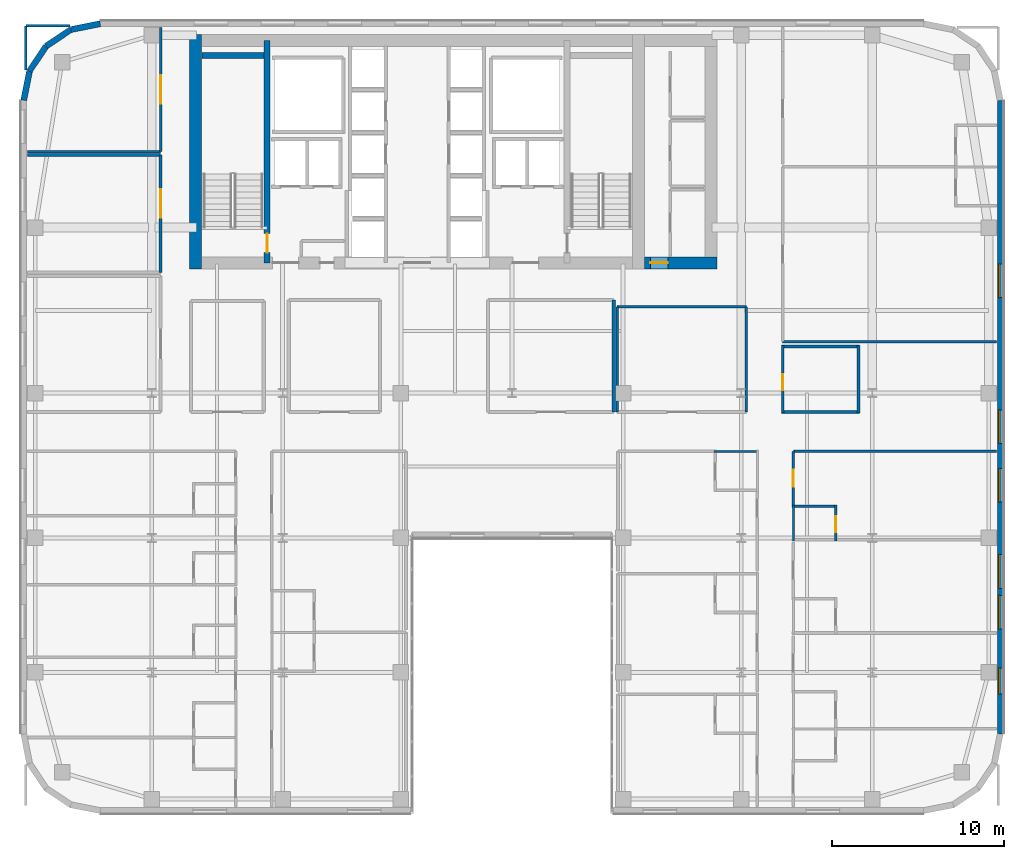
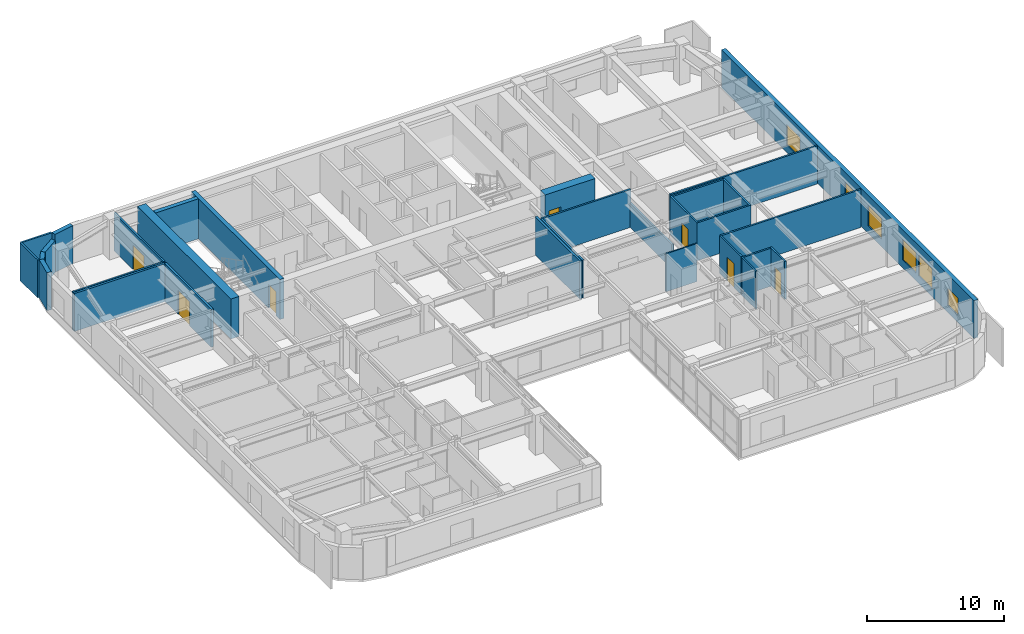
# One storey, part 17 of 25: 30 walls, 7 doors, 6 windows, 13 openings.
"""IFC4 building model written with IfcOpenShell, lengths in metres."""

from ifc_helpers import new_model, si_unit, direction, frame, frame_2d, origin, place, context, subcontext, project, spatial, rectangle, extrude, source, transform, mapped, material, layer, layer_set, type_object, type_shapes, element, fill, save


model = new_model("IFC4")

# Units and contexts
model_context = context("Model", 3, precision=1e-05, world=origin(), true_north=direction((0.0, 1.0)))
body_context = subcontext(model_context, "Body", "Model", "MODEL_VIEW")
ifc_project = project(units=[si_unit("LENGTHUNIT", "METRE"), si_unit("AREAUNIT", "SQUARE_METRE"), si_unit("VOLUMEUNIT", "CUBIC_METRE"), si_unit("PLANEANGLEUNIT", "RADIAN"), si_unit("MASSUNIT", "GRAM", prefix="KILO")], contexts=[model_context])

# Site, building, storey
site_placement = place(None, origin())
site = spatial("IfcSite", under=ifc_project, at=site_placement, CompositionType="ELEMENT")
building_placement = place(site_placement, origin())
building = spatial("IfcBuilding", under=site, at=building_placement, Name="Tolvann Quenvar Hotel", CompositionType="ELEMENT")
storey_placement = place(building_placement, frame((0.0, 0.0, 111.550048828125)))
storey = spatial("IfcBuildingStorey", under=building, at=storey_placement, Name="L28", CompositionType="ELEMENT", Elevation=111.550048828125)

# Wall
ifc_material_1 = material(Name="Concrete S65 (65 MPa)", Category="concrete")
ifc_layer_1 = layer(ifc_material_1, 0.699951171875)
ifc_layer_set_1 = layer_set([ifc_layer_1], Name="Concrete S65 (65 MPa)")
wall_type_1 = type_object("IfcWallType", Name="WALL_CORE_700", PredefinedType="SHEAR", material=ifc_layer_set_1)
wall_1_placement = place(storey_placement, frame((10.14990234375, 31.60009765625, 0.0), z_axis=(0.0, 0.0, 1.0), x_axis=(0.0, 1.0, 0.0)))
element("IfcWall", 1, at=wall_1_placement, inside=storey, type_object=wall_type_1, Name="Rear Core W Shear Wall (L28)", PredefinedType="SHEAR", context=body_context, shape_type="SweptSolid", body=[
    extrude(rectangle(XDim=13.599853515625, YDim=0.699951171875, at=frame_2d((6.7998046875, 0.0))), origin(), (0.0, 0.0, 1.0), 3.550048828125),
])

# Wall, opening, door
wall_2_placement = place(storey_placement, frame((36.199951171875, 31.949951171875, 0.0), z_axis=(0.0, 0.0, 1.0), x_axis=(1.0, 0.0, 0.0)))
wall_2 = element("IfcWall", 2, at=wall_2_placement, inside=storey, type_object=wall_type_1, Name="Core East Annex Shear Wall ANN-S (L28)", PredefinedType="SHEAR", context=body_context, shape_type="SweptSolid", body=[
    extrude(rectangle(XDim=4.199951171875, YDim=0.699951171875, at=frame_2d((2.10009765625, 0.0))), origin(), (0.0, 0.0, 1.0), 3.550048828125),
])
opening_1_placement = place(wall_2_placement, frame((1.340087890625, 0.0, 0.0), z_axis=(0.0, 0.0, 1.0), x_axis=(-1.0, 0.0, 0.0)))
opening_1 = element("IfcOpeningElement", 3, at=opening_1_placement, cuts=wall_2, Name="Opening HD-01", PredefinedType="OPENING", context=body_context, shape_type="SweptSolid", body=[
    extrude(rectangle(XDim=1.02001953125, YDim=2.030029296875, at=frame_2d((0.510009765625, 1.01513671875))), frame((0.0, 0.35986328125, 0.0), z_axis=(0.0, -1.0, 0.0), x_axis=(1.0, 0.0, 0.0)), (0.0, 0.0, 1.0), 0.719970703125),
])
ifc_material_2 = material(Name="Pressed galvanised steel fire-rated door set", Category="steel")
door_type_1 = type_object("IfcDoorType", Name="DOOR_BOH_1020", OperationType="NOTDEFINED", PredefinedType="DOOR", material=ifc_material_2)
shared_shape_1 = source(origin(), body_context, "Body", "SweptSolid", [
    extrude(rectangle(XDim=1.02001953125, YDim=2.030029296875, at=frame_2d((0.510009765625, 1.01513671875))), frame((0.0, 0.02490234375, 0.0), z_axis=(0.0, -1.0, 0.0), x_axis=(1.0, 0.0, 0.0)), (0.0, 0.0, 1.0), 0.050048828125),
])
type_shapes(door_type_1, [shared_shape_1])
door_1_placement = place(opening_1_placement, origin())
door_1 = element("IfcDoor", 4, at=door_1_placement, inside=storey, type_object=door_type_1, Name="Housekeeping Annex Fire Door (L28)", OperationType="SINGLE_SWING_RIGHT", OverallHeight=2.030029296875, OverallWidth=1.02001953125, PredefinedType="DOOR", context=body_context, shape_type="MappedRepresentation", body=[
    mapped(shared_shape_1, transform((0.0, 0.0, 0.0), x_axis=(1.0, 0.0, 0.0), y_axis=(0.0, 1.0, 0.0), z_axis=(0.0, 0.0, 1.0), scale=1.0)),
])
fill(opening_1, door_1)

ifc_layer_2 = layer(ifc_material_1, 0.35009765625)
ifc_layer_set_2 = layer_set([ifc_layer_2], Name="Concrete S65 (65 MPa)")
wall_type_2 = type_object("IfcWallType", Name="WALL_CORE_INT_350", PredefinedType="SHEAR", material=ifc_layer_set_2)
wall_3_placement = place(storey_placement, frame((14.300048828125, 31.949951171875, 0.0), z_axis=(0.0, 0.0, 1.0), x_axis=(0.0, 1.0, 0.0)))
wall_3 = element("IfcWall", 5, at=wall_3_placement, inside=storey, type_object=wall_type_2, Name="Core Internal Web Shear Wall WEB-W (L28)", PredefinedType="SHEAR", context=body_context, shape_type="SweptSolid", body=[
    extrude(rectangle(XDim=12.900146484375, YDim=0.35009765625, at=frame_2d((6.4501953125, 0.0))), origin(), (0.0, 0.0, 1.0), 3.550048828125),
])
opening_2_placement = place(wall_3_placement, frame((0.60009765625, 0.0, 0.0)))
opening_2 = element("IfcOpeningElement", 6, at=opening_2_placement, cuts=wall_3, Name="Opening FD-120", PredefinedType="OPENING", context=body_context, shape_type="SweptSolid", body=[
    extrude(rectangle(XDim=1.10009765625, YDim=2.1201171875, at=frame_2d((0.550048828125, 1.06005859375))), frame((0.0, 0.18505859375, 0.0), z_axis=(0.0, -1.0, 0.0), x_axis=(1.0, 0.0, 0.0)), (0.0, 0.0, 1.0), 0.3701171875),
])
door_type_2 = type_object("IfcDoorType", Name="DOOR_FIRE_STAIR_1100", OperationType="NOTDEFINED", PredefinedType="DOOR", material=ifc_material_2)
shared_shape_2 = source(origin(), body_context, "Body", "SweptSolid", [
    extrude(rectangle(XDim=1.10009765625, YDim=2.1201171875, at=frame_2d((0.550048828125, 1.06005859375))), frame((0.0, 0.02490234375, 0.0), z_axis=(0.0, -1.0, 0.0), x_axis=(1.0, 0.0, 0.0)), (0.0, 0.0, 1.0), 0.050048828125),
])
type_shapes(door_type_2, [shared_shape_2])
door_2_placement = place(opening_2_placement, origin())
door_2 = element("IfcDoor", 7, at=door_2_placement, inside=storey, type_object=door_type_2, Name="Exit Stair ST-C1 Fire Door (L28)", OperationType="SINGLE_SWING_LEFT", OverallHeight=2.1201171875, OverallWidth=1.10009765625, PredefinedType="DOOR", context=body_context, shape_type="MappedRepresentation", body=[
    mapped(shared_shape_2, transform((0.0, 0.0, 0.0), x_axis=(1.0, 0.0, 0.0), y_axis=(0.0, 1.0, 0.0), z_axis=(0.0, 0.0, 1.0), scale=1.0)),
])
fill(opening_2, door_2)

# Wall
wall_4_placement = place(storey_placement, frame((10.52001953125, 43.97509765625, 0.0), z_axis=(0.0, 0.0, 1.0), x_axis=(1.0, 0.0, 0.0)))
element("IfcWall", 8, at=wall_4_placement, inside=storey, type_object=wall_type_2, Name="Core Stair North Closing Shear Wall STC1-N (L28)", PredefinedType="SHEAR", context=body_context, shape_type="SweptSolid", body=[
    extrude(rectangle(XDim=3.60009765625, YDim=0.35009765625, at=frame_2d((1.800048828125, 0.0))), origin(), (0.0, 0.0, 1.0), 3.550048828125),
])

# Wall, openings, windows
ifc_material_3 = material(Name="Kiln-fired red and buff architectural clay brickwork and terracotta masonry", Category="masonry")
ifc_layer_3 = layer(ifc_material_3, 0.35009765625)
ifc_layer_set_3 = layer_set([ifc_layer_3], Name="Kiln-fired red and buff architectural clay brickwork and terracotta masonry")
wall_type_3 = type_object("IfcWallType", Name="WALL_EXT_BRICK_350", PredefinedType="SOLIDWALL", material=ifc_layer_set_3)
wall_5_placement = place(storey_placement, frame((56.824951171875, 4.6171875, 0.0), z_axis=(0.0, 0.0, 1.0), x_axis=(0.0, 1.0, 0.0)))
wall_5 = element("IfcWall", 9, at=wall_5_placement, inside=storey, type_object=wall_type_3, Name="Exterior Chicago Brick Wall L28-E13", PredefinedType="SOLIDWALL", context=body_context, shape_type="SweptSolid", body=[
    extrude(rectangle(XDim=36.765625, YDim=0.35009765625, at=frame_2d((18.3828125, 0.0))), origin(), (0.0, 0.0, 1.0), 3.369873046875),
])
opening_3_placement = place(wall_5_placement, frame((6.10302734375, 0.0, 0.679931640625)))
opening_3 = element("IfcOpeningElement", 10, at=opening_3_placement, cuts=wall_5, Name="Opening W-10", PredefinedType="OPENING", context=body_context, shape_type="SweptSolid", body=[
    extrude(rectangle(XDim=1.949951171875, YDim=1.820068359375, at=frame_2d((0.97509765625, 0.91015625))), frame((0.0, 0.18505859375, 0.0), z_axis=(0.0, -1.0, 0.0), x_axis=(1.0, 0.0, 0.0)), (0.0, 0.0, 1.0), 0.3701171875),
])
opening_4_placement = place(wall_5_placement, frame((8.4541015625, 0.0, 0.679931640625)))
opening_4 = element("IfcOpeningElement", 11, at=opening_4_placement, cuts=wall_5, Name="Opening W-10", PredefinedType="OPENING", context=body_context, shape_type="SweptSolid", body=[
    extrude(rectangle(XDim=1.949951171875, YDim=1.820068359375, at=frame_2d((0.97509765625, 0.91015625))), frame((0.0, 0.18505859375, 0.0), z_axis=(0.0, -1.0, 0.0), x_axis=(1.0, 0.0, 0.0)), (0.0, 0.0, 1.0), 0.3701171875),
])
opening_5_placement = place(wall_5_placement, frame((13.4560546875, 0.0, 0.679931640625)))
opening_5 = element("IfcOpeningElement", 12, at=opening_5_placement, cuts=wall_5, Name="Opening W-10", PredefinedType="OPENING", context=body_context, shape_type="SweptSolid", body=[
    extrude(rectangle(XDim=1.949951171875, YDim=1.820068359375, at=frame_2d((0.97509765625, 0.91015625))), frame((0.0, 0.18505859375, 0.0), z_axis=(0.0, -1.0, 0.0), x_axis=(1.0, 0.0, 0.0)), (0.0, 0.0, 1.0), 0.3701171875),
])
opening_6_placement = place(wall_5_placement, frame((16.85791015625, 0.0, 0.679931640625)))
opening_6 = element("IfcOpeningElement", 13, at=opening_6_placement, cuts=wall_5, Name="Opening W-10", PredefinedType="OPENING", context=body_context, shape_type="SweptSolid", body=[
    extrude(rectangle(XDim=1.949951171875, YDim=1.820068359375, at=frame_2d((0.97509765625, 0.91015625))), frame((0.0, 0.18505859375, 0.0), z_axis=(0.0, -1.0, 0.0), x_axis=(1.0, 0.0, 0.0)), (0.0, 0.0, 1.0), 0.3701171875),
])
opening_7_placement = place(wall_5_placement, frame((25.31103515625, 0.0, 0.679931640625)))
opening_7 = element("IfcOpeningElement", 14, at=opening_7_placement, cuts=wall_5, Name="Opening W-10", PredefinedType="OPENING", context=body_context, shape_type="SweptSolid", body=[
    extrude(rectangle(XDim=1.949951171875, YDim=1.820068359375, at=frame_2d((0.97509765625, 0.91015625))), frame((0.0, 0.18505859375, 0.0), z_axis=(0.0, -1.0, 0.0), x_axis=(1.0, 0.0, 0.0)), (0.0, 0.0, 1.0), 0.3701171875),
])
opening_8_placement = place(wall_5_placement, frame((2.3330078125, 0.0, 0.6201171875)))
opening_8 = element("IfcOpeningElement", 15, at=opening_8_placement, cuts=wall_5, Name="Opening W-08", PredefinedType="OPENING", context=body_context, shape_type="SweptSolid", body=[
    extrude(rectangle(XDim=1.5, YDim=1.550048828125, at=frame_2d((0.75, 0.77490234375))), frame((0.0, 0.18505859375, 0.0), z_axis=(0.0, -1.0, 0.0), x_axis=(1.0, 0.0, 0.0)), (0.0, 0.0, 1.0), 0.3701171875),
])
ifc_material_4 = material(Name="Thermally broken bronze-anodised aluminium frame with double low-E glazing", Category="aluminium")
window_type_1 = type_object("IfcWindowType", Name="WIN_COR_1500x2050", PartitioningType="SINGLE_PANEL", PredefinedType="WINDOW", material=ifc_material_4)
shared_shape_3 = source(origin(), body_context, "Body", "SweptSolid", [
    extrude(rectangle(XDim=1.5, YDim=1.550048828125, at=frame_2d((0.75, 0.77490234375))), frame((0.0, 0.090087890625, 0.0), z_axis=(0.0, -1.0, 0.0), x_axis=(1.0, 0.0, 0.0)), (0.0, 0.0, 1.0), 0.06005859375),
])
type_shapes(window_type_1, [shared_shape_3])
window_1_placement = place(opening_8_placement, origin())
window_1 = element("IfcWindow", 16, at=window_1_placement, inside=storey, type_object=window_type_1, Name="Chicago Window W-08 (EW-L28-E13-WD06)", OverallHeight=1.550048828125, OverallWidth=1.5, PartitioningType="SINGLE_PANEL", PredefinedType="WINDOW", context=body_context, shape_type="MappedRepresentation", body=[
    mapped(shared_shape_3, transform((0.0, 0.0, 0.0), x_axis=(1.0, 0.0, 0.0), y_axis=(0.0, 1.0, 0.0), z_axis=(0.0, 0.0, 1.0), scale=1.0)),
])
fill(opening_8, window_1)
window_type_2 = type_object("IfcWindowType", Name="WIN_CLB_1950x1850", PartitioningType="DOUBLE_PANEL_VERTICAL", PredefinedType="WINDOW", material=ifc_material_4)
shared_shape_4 = source(origin(), body_context, "Body", "SweptSolid", [
    extrude(rectangle(XDim=1.949951171875, YDim=1.820068359375, at=frame_2d((0.97509765625, 0.91015625))), frame((0.0, 0.090087890625, 0.0), z_axis=(0.0, -1.0, 0.0), x_axis=(1.0, 0.0, 0.0)), (0.0, 0.0, 1.0), 0.06005859375),
])
type_shapes(window_type_2, [shared_shape_4])
window_2_placement = place(opening_3_placement, origin())
window_2 = element("IfcWindow", 17, at=window_2_placement, inside=storey, type_object=window_type_2, Name="Chicago Window W-10 (EW-L28-E13-W01)", OverallHeight=1.820068359375, OverallWidth=1.949951171875, PartitioningType="DOUBLE_PANEL_VERTICAL", PredefinedType="WINDOW", context=body_context, shape_type="MappedRepresentation", body=[
    mapped(shared_shape_4, transform((0.0, 0.0, 0.0), x_axis=(1.0, 0.0, 0.0), y_axis=(0.0, 1.0, 0.0), z_axis=(0.0, 0.0, 1.0), scale=1.0)),
])
fill(opening_3, window_2)
window_3_placement = place(opening_4_placement, origin())
window_3 = element("IfcWindow", 18, at=window_3_placement, inside=storey, type_object=window_type_2, Name="Chicago Window W-10 (EW-L28-E13-W02)", OverallHeight=1.820068359375, OverallWidth=1.949951171875, PartitioningType="DOUBLE_PANEL_VERTICAL", PredefinedType="WINDOW", context=body_context, shape_type="MappedRepresentation", body=[
    mapped(shared_shape_4, transform((0.0, 0.0, 0.0), x_axis=(1.0, 0.0, 0.0), y_axis=(0.0, 1.0, 0.0), z_axis=(0.0, 0.0, 1.0), scale=1.0)),
])
fill(opening_4, window_3)
window_4_placement = place(opening_5_placement, origin())
window_4 = element("IfcWindow", 19, at=window_4_placement, inside=storey, type_object=window_type_2, Name="Chicago Window W-10 (EW-L28-E13-W03)", OverallHeight=1.820068359375, OverallWidth=1.949951171875, PartitioningType="DOUBLE_PANEL_VERTICAL", PredefinedType="WINDOW", context=body_context, shape_type="MappedRepresentation", body=[
    mapped(shared_shape_4, transform((0.0, 0.0, 0.0), x_axis=(1.0, 0.0, 0.0), y_axis=(0.0, 1.0, 0.0), z_axis=(0.0, 0.0, 1.0), scale=1.0)),
])
fill(opening_5, window_4)
window_5_placement = place(opening_6_placement, origin())
window_5 = element("IfcWindow", 20, at=window_5_placement, inside=storey, type_object=window_type_2, Name="Chicago Window W-10 (EW-L28-E13-W04)", OverallHeight=1.820068359375, OverallWidth=1.949951171875, PartitioningType="DOUBLE_PANEL_VERTICAL", PredefinedType="WINDOW", context=body_context, shape_type="MappedRepresentation", body=[
    mapped(shared_shape_4, transform((0.0, 0.0, 0.0), x_axis=(1.0, 0.0, 0.0), y_axis=(0.0, 1.0, 0.0), z_axis=(0.0, 0.0, 1.0), scale=1.0)),
])
fill(opening_6, window_5)
window_6_placement = place(opening_7_placement, origin())
window_6 = element("IfcWindow", 21, at=window_6_placement, inside=storey, type_object=window_type_2, Name="Chicago Window W-10 (EW-L28-E13-W05)", OverallHeight=1.820068359375, OverallWidth=1.949951171875, PartitioningType="DOUBLE_PANEL_VERTICAL", PredefinedType="WINDOW", context=body_context, shape_type="MappedRepresentation", body=[
    mapped(shared_shape_4, transform((0.0, 0.0, 0.0), x_axis=(1.0, 0.0, 0.0), y_axis=(0.0, 1.0, 0.0), z_axis=(0.0, 0.0, 1.0), scale=1.0)),
])
fill(opening_7, window_6)

# Walls
wall_6_placement = place(storey_placement, frame((4.6171875, 45.824951171875, 0.0), z_axis=(0.0, 0.0, 1.0), x_axis=(-0.980800971659, -0.195011420161, 0.0)))
element("IfcWall", 22, at=wall_6_placement, inside=storey, type_object=wall_type_3, Name="Exterior Chicago Brick Wall L28-E19", PredefinedType="SOLIDWALL", context=body_context, shape_type="SweptSolid", body=[
    extrude(rectangle(XDim=1.74267578125, YDim=0.35009765625, at=frame_2d((0.871337890625, 0.0))), origin(), (0.0, 0.0, 1.0), 3.369873046875),
])
for number, where, z_axis, x_axis, name in (
    (23, (2.907958984375, 45.485107421875, 0.0), (0.0, 0.0, 1.0), (-0.831483840845, -0.55554893791, 0.0), "Exterior Chicago Brick Wall L28-E20"),
    (24, (1.473388671875, 44.526611328125, 0.0), (0.0, 0.0, 1.0), (-0.55554893791, -0.831483840845, 0.0), "Exterior Chicago Brick Wall L28-E21"),
):
    element("IfcWall", number, at=place(storey_placement, frame(where, z_axis=z_axis, x_axis=x_axis)), inside=storey, type_object=wall_type_3, Name=name, PredefinedType="SOLIDWALL", context=body_context, shape_type="SweptSolid", body=[
        extrude(rectangle(XDim=1.725341796875, YDim=0.35009765625, at=frame_2d((0.86279296875, 0.0))), origin(), (0.0, 0.0, 1.0), 2.83203125),
    ])
wall_7_placement = place(storey_placement, frame((0.514892578125, 43.092041015625, 0.0), z_axis=(0.0, 0.0, 1.0), x_axis=(-0.195011420161, -0.980800971659, 0.0)))
element("IfcWall", 25, at=wall_7_placement, inside=storey, type_object=wall_type_3, Name="Exterior Chicago Brick Wall L28-E22", PredefinedType="SOLIDWALL", context=body_context, shape_type="SweptSolid", body=[
    extrude(rectangle(XDim=1.74267578125, YDim=0.35009765625, at=frame_2d((0.871337890625, 0.0))), origin(), (0.0, 0.0, 1.0), 3.369873046875),
])
ifc_material_5 = material(Name="Acoustic twin-stud fire-rated gypsum plasterboard partition")
ifc_layer_4 = layer(ifc_material_5, 0.179931640625)
ifc_layer_set_4 = layer_set([ifc_layer_4], Name="Acoustic twin-stud fire-rated gypsum plasterboard partition")
wall_type_4 = type_object("IfcWallType", Name="WALL_PART_ACOUSTIC_180", PredefinedType="PARTITIONING", material=ifc_layer_set_4)
wall_8_placement = place(storey_placement, frame((0.405029296875, 38.199951171875, 0.0), z_axis=(0.0, 0.0, 1.0), x_axis=(1.0, 0.0, 0.0)))
element("IfcWall", 26, at=wall_8_placement, inside=storey, type_object=wall_type_4, Name="Interior Partition PT-SPC-L28-MTG-N", PredefinedType="PARTITIONING", context=body_context, shape_type="SweptSolid", body=[
    extrude(rectangle(XDim=7.715087890625, YDim=0.179931640625, at=frame_2d((3.857421875, 0.0))), origin(), (0.0, 0.0, 1.0), 3.369873046875),
])

# Wall, opening, door
wall_9_placement = place(storey_placement, frame((8.1201171875, 31.39990234375, 0.0), z_axis=(0.0, 0.0, 1.0), x_axis=(0.0, 1.0, 0.0)))
wall_9 = element("IfcWall", 27, at=wall_9_placement, inside=storey, type_object=wall_type_4, Name="Interior Partition PT-SPC-L28-MTG-E", PredefinedType="PARTITIONING", context=body_context, shape_type="SweptSolid", body=[
    extrude(rectangle(XDim=6.800048828125, YDim=0.179931640625, at=frame_2d((3.39990234375, 0.0))), origin(), (0.0, 0.0, 1.0), 3.369873046875),
])
opening_9_placement = place(wall_9_placement, frame((3.175048828125, 0.0, 0.0)))
opening_9 = element("IfcOpeningElement", 28, at=opening_9_placement, cuts=wall_9, Name="Opening AD-01", PredefinedType="OPENING", context=body_context, shape_type="SweptSolid", body=[
    extrude(rectangle(XDim=1.64990234375, YDim=2.14990234375, at=frame_2d((0.824951171875, 1.074951171875))), frame((0.0, 0.10009765625, 0.0), z_axis=(0.0, -1.0, 0.0), x_axis=(1.0, 0.0, 0.0)), (0.0, 0.0, 1.0), 0.199951171875),
])
ifc_material_6 = material(Name="Solid-core American oak acoustic fire door leaf in steel frame", Category="steel")
door_type_3 = type_object("IfcDoorType", Name="DOOR_SALON_1650", OperationType="NOTDEFINED", PredefinedType="DOOR", material=ifc_material_6)
shared_shape_5 = source(origin(), body_context, "Body", "SweptSolid", [
    extrude(rectangle(XDim=1.64990234375, YDim=2.14990234375, at=frame_2d((0.824951171875, 1.074951171875))), frame((0.0, 0.02490234375, 0.0), z_axis=(0.0, -1.0, 0.0), x_axis=(1.0, 0.0, 0.0)), (0.0, 0.0, 1.0), 0.050048828125),
])
type_shapes(door_type_3, [shared_shape_5])
door_3_placement = place(opening_9_placement, origin())
door_3 = element("IfcDoor", 29, at=door_3_placement, inside=storey, type_object=door_type_3, Name="Interior Door DOOR-SPC-L28-MTG", OperationType="DOUBLE_DOOR_SINGLE_SWING", OverallHeight=2.14990234375, OverallWidth=1.64990234375, PredefinedType="DOOR", context=body_context, shape_type="MappedRepresentation", body=[
    mapped(shared_shape_5, transform((0.0, 0.0, 0.0), x_axis=(1.0, 0.0, 0.0), y_axis=(0.0, 1.0, 0.0), z_axis=(0.0, 0.0, 1.0), scale=1.0)),
])
fill(opening_9, door_3)

# Walls
wall_10_placement = place(storey_placement, frame((34.39990234375, 23.300048828125, 0.0), z_axis=(0.0, 0.0, 1.0), x_axis=(0.0, 1.0, 0.0)))
element("IfcWall", 30, at=wall_10_placement, inside=storey, type_object=wall_type_4, Name="Interior Partition PT-SPC-L28-MSP-C-E", PredefinedType="PARTITIONING", context=body_context, shape_type="SweptSolid", body=[
    extrude(rectangle(XDim=6.5, YDim=0.179931640625, at=frame_2d((3.25, 0.0))), origin(), (0.0, 0.0, 1.0), 3.369873046875),
])
ifc_material_7 = material(Name="Moisture-resistant acoustic plumbing wall assembly")
ifc_layer_5 = layer(ifc_material_7, 0.1201171875)
ifc_layer_set_5 = layer_set([ifc_layer_5], Name="Moisture-resistant acoustic plumbing wall assembly")
wall_type_5 = type_object("IfcWallType", Name="WALL_PART_BATH_120", PredefinedType="PLUMBINGWALL", material=ifc_layer_set_5)
wall_11_placement = place(storey_placement, frame((40.2099609375, 21.02001953125, 0.0), z_axis=(0.0, 0.0, 1.0), x_axis=(1.0, 0.0, 0.0)))
element("IfcWall", 31, at=wall_11_placement, inside=storey, type_object=wall_type_5, Name="Non-Rated Plumbing Partition PT-SPC-L28-ENS-EI03-N", PredefinedType="PLUMBINGWALL", context=body_context, shape_type="SweptSolid", body=[
    extrude(rectangle(XDim=2.590087890625, YDim=0.1201171875, at=frame_2d((1.294921875, 0.0))), origin(), (0.0, 0.0, 1.0), 3.369873046875),
])
wall_12_placement = place(storey_placement, frame((44.820068359375, 15.81005859375, 0.0), z_axis=(0.0, 0.0, 1.0), x_axis=(0.0, 1.0, 0.0)))
element("IfcWall", 32, at=wall_12_placement, inside=storey, type_object=wall_type_5, Name="Non-Rated Plumbing Partition PT-SPC-L28-ENS-EO04-W", PredefinedType="PLUMBINGWALL", context=body_context, shape_type="SweptSolid", body=[
    extrude(rectangle(XDim=2.093017578125, YDim=0.1201171875, at=frame_2d((1.04638671875, 0.0))), origin(), (0.0, 0.0, 1.0), 3.369873046875),
])

# Wall, opening, door
ifc_layer_6 = layer(ifc_material_5, 0.14990234375)
ifc_layer_set_6 = layer_set([ifc_layer_6], Name="Acoustic twin-stud fire-rated gypsum plasterboard partition")
wall_type_6 = type_object("IfcWallType", Name="WALL_PART_SUITE_150", PredefinedType="PARTITIONING", material=ifc_layer_set_6)
wall_13_placement = place(storey_placement, frame((47.27001953125, 15.81005859375, 0.0), z_axis=(0.0, 0.0, 1.0), x_axis=(0.0, 1.0, 0.0)))
wall_13 = element("IfcWall", 33, at=wall_13_placement, inside=storey, type_object=wall_type_6, Name="Interior Partition PT-SPC-L28-ENS-EO04-ENT", PredefinedType="PARTITIONING", context=body_context, shape_type="SweptSolid", body=[
    extrude(rectangle(XDim=2.093017578125, YDim=0.14990234375, at=frame_2d((1.04638671875, 0.0))), origin(), (0.0, 0.0, 1.0), 3.369873046875),
])
opening_10_placement = place(wall_13_placement, frame((0.5166015625, 0.0, 0.0)))
opening_10 = element("IfcOpeningElement", 34, at=opening_10_placement, cuts=wall_13, Name="Opening WD-01", PredefinedType="OPENING", context=body_context, shape_type="SweptSolid", body=[
    extrude(rectangle(XDim=0.919921875, YDim=2.010009765625, at=frame_2d((0.4599609375, 1.0048828125))), frame((0.0, 0.0849609375, 0.0), z_axis=(0.0, -1.0, 0.0), x_axis=(1.0, 0.0, 0.0)), (0.0, 0.0, 1.0), 0.169921875),
])
door_type_4 = type_object("IfcDoorType", Name="DOOR_WC_920", OperationType="NOTDEFINED", PredefinedType="DOOR", material=ifc_material_6)
shared_shape_6 = source(origin(), body_context, "Body", "SweptSolid", [
    extrude(rectangle(XDim=0.919921875, YDim=2.010009765625, at=frame_2d((0.4599609375, 1.0048828125))), frame((0.0, 0.02490234375, 0.0), z_axis=(0.0, -1.0, 0.0), x_axis=(1.0, 0.0, 0.0)), (0.0, 0.0, 1.0), 0.050048828125),
])
type_shapes(door_type_4, [shared_shape_6])
door_4_placement = place(opening_10_placement, origin())
door_4 = element("IfcDoor", 35, at=door_4_placement, inside=storey, type_object=door_type_4, Name="Interior Door DOOR-SPC-L28-ENS-EO04", OperationType="SINGLE_SWING_RIGHT", OverallHeight=2.010009765625, OverallWidth=0.919921875, PredefinedType="DOOR", context=body_context, shape_type="MappedRepresentation", body=[
    mapped(shared_shape_6, transform((0.0, 0.0, 0.0), x_axis=(1.0, 0.0, 0.0), y_axis=(0.0, 1.0, 0.0), z_axis=(0.0, 0.0, 1.0), scale=1.0)),
])
fill(opening_10, door_4)

# Wall
wall_14_placement = place(storey_placement, frame((44.75, 17.8330078125, 0.0), z_axis=(0.0, 0.0, 1.0), x_axis=(1.0, 0.0, 0.0)))
element("IfcWall", 36, at=wall_14_placement, inside=storey, type_object=wall_type_6, Name="Interior Partition PT-SPC-L28-ENS-EO04-N", PredefinedType="PARTITIONING", context=body_context, shape_type="SweptSolid", body=[
    extrude(rectangle(XDim=2.590087890625, YDim=0.14990234375, at=frame_2d((1.294921875, 0.0))), origin(), (0.0, 0.0, 1.0), 3.369873046875),
])

# Wall, opening, door
wall_15_placement = place(storey_placement, frame((44.820068359375, 17.9130859375, 0.0), z_axis=(0.0, 0.0, 1.0), x_axis=(0.0, 1.0, 0.0)))
wall_15 = element("IfcWall", 37, at=wall_15_placement, inside=storey, type_object=wall_type_6, Name="Interior Partition PT-SPC-L28-RM-EO04-ENT", PredefinedType="PARTITIONING", context=body_context, shape_type="SweptSolid", body=[
    extrude(rectangle(XDim=3.10693359375, YDim=0.14990234375, at=frame_2d((1.553466796875, 0.0))), origin(), (0.0, 0.0, 1.0), 3.369873046875),
])
opening_11_placement = place(wall_15_placement, frame((1.04345703125, 0.0, 0.0)))
opening_11 = element("IfcOpeningElement", 38, at=opening_11_placement, cuts=wall_15, Name="Opening SD-01", PredefinedType="OPENING", context=body_context, shape_type="SweptSolid", body=[
    extrude(rectangle(XDim=0.97998046875, YDim=2.1201171875, at=frame_2d((0.489990234375, 1.06005859375))), frame((0.0, 0.0849609375, 0.0), z_axis=(0.0, -1.0, 0.0), x_axis=(1.0, 0.0, 0.0)), (0.0, 0.0, 1.0), 0.169921875),
])
door_type_5 = type_object("IfcDoorType", Name="DOOR_SUITE_980", OperationType="NOTDEFINED", PredefinedType="DOOR", material=ifc_material_6)
shared_shape_7 = source(origin(), body_context, "Body", "SweptSolid", [
    extrude(rectangle(XDim=0.97998046875, YDim=2.1201171875, at=frame_2d((0.489990234375, 1.06005859375))), frame((0.0, 0.02490234375, 0.0), z_axis=(0.0, -1.0, 0.0), x_axis=(1.0, 0.0, 0.0)), (0.0, 0.0, 1.0), 0.050048828125),
])
type_shapes(door_type_5, [shared_shape_7])
door_5_placement = place(opening_11_placement, origin())
door_5 = element("IfcDoor", 39, at=door_5_placement, inside=storey, type_object=door_type_5, Name="Interior Door DOOR-SPC-L28-RM-EO04", OperationType="SINGLE_SWING_LEFT", OverallHeight=2.1201171875, OverallWidth=0.97998046875, PredefinedType="DOOR", context=body_context, shape_type="MappedRepresentation", body=[
    mapped(shared_shape_7, transform((0.0, 0.0, 0.0), x_axis=(1.0, 0.0, 0.0), y_axis=(0.0, 1.0, 0.0), z_axis=(0.0, 0.0, 1.0), scale=1.0)),
])
fill(opening_11, door_5)

# Walls
wall_16_placement = place(storey_placement, frame((44.820068359375, 21.02001953125, 0.0), z_axis=(0.0, 0.0, 1.0), x_axis=(1.0, 0.0, 0.0)))
element("IfcWall", 40, at=wall_16_placement, inside=storey, type_object=wall_type_6, Name="Interior Partition PT-SPC-L28-RM-EO04-E5", PredefinedType="PARTITIONING", context=body_context, shape_type="SweptSolid", body=[
    extrude(rectangle(XDim=11.77490234375, YDim=0.14990234375, at=frame_2d((5.887451171875, 0.0))), origin(), (0.0, 0.0, 1.0), 3.369873046875),
])
wall_17_placement = place(storey_placement, frame((0.405029296875, 38.39990234375, 0.0), z_axis=(0.0, 0.0, 1.0), x_axis=(1.0, 0.0, 0.0)))
element("IfcWall", 41, at=wall_17_placement, inside=storey, type_object=wall_type_6, Name="Interior Partition PT-SPC-L28-TEA-S", PredefinedType="PARTITIONING", context=body_context, shape_type="SweptSolid", body=[
    extrude(rectangle(XDim=7.715087890625, YDim=0.14990234375, at=frame_2d((3.857421875, 0.0))), origin(), (0.0, 0.0, 1.0), 3.369873046875),
])
for number, where, z_axis, x_axis, name in (
    (42, (0.300048828125, 45.699951171875, 0.0), (0.0, 0.0, 1.0), (1.0, 0.0, 0.0), "Interior Partition PT-SPC-L28-TEA-N"),
    (43, (0.300048828125, 43.135009765625, 0.0), (0.0, 0.0, 1.0), (0.0, 1.0, 0.0), "Interior Partition PT-SPC-L28-TEA-W"),
):
    element("IfcWall", number, at=place(storey_placement, frame(where, z_axis=z_axis, x_axis=x_axis)), inside=storey, type_object=wall_type_6, Name=name, PredefinedType="PARTITIONING", context=body_context, shape_type="SweptSolid", body=[
        extrude(rectangle(XDim=2.56494140625, YDim=0.14990234375, at=frame_2d((1.282470703125, 0.0))), origin(), (0.0, 0.0, 1.0), 3.369873046875),
    ])

# Wall, opening, door
wall_18_placement = place(storey_placement, frame((8.1201171875, 38.39990234375, 0.0), z_axis=(0.0, 0.0, 1.0), x_axis=(0.0, 1.0, 0.0)))
wall_18 = element("IfcWall", 44, at=wall_18_placement, inside=storey, type_object=wall_type_6, Name="Interior Partition PT-SPC-L28-TEA-E", PredefinedType="PARTITIONING", context=body_context, shape_type="SweptSolid", body=[
    extrude(rectangle(XDim=7.195068359375, YDim=0.14990234375, at=frame_2d((3.59765625, 0.0))), origin(), (0.0, 0.0, 1.0), 3.369873046875),
])
opening_12_placement = place(wall_18_placement, frame((2.7724609375, 0.0, 0.0)))
opening_12 = element("IfcOpeningElement", 45, at=opening_12_placement, cuts=wall_18, Name="Opening AD-01", PredefinedType="OPENING", context=body_context, shape_type="SweptSolid", body=[
    extrude(rectangle(XDim=1.64990234375, YDim=2.14990234375, at=frame_2d((0.824951171875, 1.074951171875))), frame((0.0, 0.0849609375, 0.0), z_axis=(0.0, -1.0, 0.0), x_axis=(1.0, 0.0, 0.0)), (0.0, 0.0, 1.0), 0.169921875),
])
door_6_placement = place(opening_12_placement, origin())
door_6 = element("IfcDoor", 46, at=door_6_placement, inside=storey, type_object=door_type_3, Name="Interior Door DOOR-SPC-L28-TEA", OperationType="DOUBLE_DOOR_SINGLE_SWING", OverallHeight=2.14990234375, OverallWidth=1.64990234375, PredefinedType="DOOR", context=body_context, shape_type="MappedRepresentation", body=[
    mapped(shared_shape_5, transform((0.0, 0.0, 0.0), x_axis=(1.0, 0.0, 0.0), y_axis=(0.0, 1.0, 0.0), z_axis=(0.0, 0.0, 1.0), scale=1.0)),
])
fill(opening_12, door_6)

wall_19_placement = place(storey_placement, frame((44.199951171875, 23.22998046875, 0.0), z_axis=(0.0, 0.0, 1.0), x_axis=(0.0, 1.0, 0.0)))
wall_19 = element("IfcWall", 47, at=wall_19_placement, inside=storey, type_object=wall_type_6, Name="Interior Partition PT-SPC-L28-WCA-ENT", PredefinedType="PARTITIONING", context=body_context, shape_type="SweptSolid", body=[
    extrude(rectangle(XDim=3.93994140625, YDim=0.14990234375, at=frame_2d((1.969970703125, 0.0))), origin(), (0.0, 0.0, 1.0), 3.369873046875),
])
opening_13_placement = place(wall_19_placement, frame((1.340087890625, 0.0, 0.0)))
opening_13 = element("IfcOpeningElement", 48, at=opening_13_placement, cuts=wall_19, Name="Opening WD-01", PredefinedType="OPENING", context=body_context, shape_type="SweptSolid", body=[
    extrude(rectangle(XDim=0.919921875, YDim=2.010009765625, at=frame_2d((0.4599609375, 1.0048828125))), frame((0.0, 0.0849609375, 0.0), z_axis=(0.0, -1.0, 0.0), x_axis=(1.0, 0.0, 0.0)), (0.0, 0.0, 1.0), 0.169921875),
])
door_7_placement = place(opening_13_placement, origin())
door_7 = element("IfcDoor", 49, at=door_7_placement, inside=storey, type_object=door_type_4, Name="Interior Door DOOR-SPC-L28-WCA", OperationType="SINGLE_SWING_RIGHT", OverallHeight=2.010009765625, OverallWidth=0.919921875, PredefinedType="DOOR", context=body_context, shape_type="MappedRepresentation", body=[
    mapped(shared_shape_6, transform((0.0, 0.0, 0.0), x_axis=(1.0, 0.0, 0.0), y_axis=(0.0, 1.0, 0.0), z_axis=(0.0, 0.0, 1.0), scale=1.0)),
])
fill(opening_13, door_7)

# Walls
for number, where, z_axis, x_axis, name in (
    (50, (44.1298828125, 23.300048828125, 0.0), (0.0, 0.0, 1.0), (1.0, 0.0, 0.0), "Interior Partition PT-SPC-L28-WCA-S"),
    (51, (44.1298828125, 27.10009765625, 0.0), (0.0, 0.0, 1.0), (1.0, 0.0, 0.0), "Interior Partition PT-SPC-L28-WCA-N"),
):
    element("IfcWall", number, at=place(storey_placement, frame(where, z_axis=z_axis, x_axis=x_axis)), inside=storey, type_object=wall_type_6, Name=name, PredefinedType="PARTITIONING", context=body_context, shape_type="SweptSolid", body=[
        extrude(rectangle(XDim=4.5400390625, YDim=0.14990234375, at=frame_2d((2.27001953125, 0.0))), origin(), (0.0, 0.0, 1.0), 3.369873046875),
    ])
wall_20_placement = place(storey_placement, frame((48.60009765625, 23.22998046875, 0.0), z_axis=(0.0, 0.0, 1.0), x_axis=(0.0, 1.0, 0.0)))
element("IfcWall", 52, at=wall_20_placement, inside=storey, type_object=wall_type_6, Name="Interior Partition PT-SPC-L28-WCA-E", PredefinedType="PARTITIONING", context=body_context, shape_type="SweptSolid", body=[
    extrude(rectangle(XDim=3.93994140625, YDim=0.14990234375, at=frame_2d((1.969970703125, 0.0))), origin(), (0.0, 0.0, 1.0), 3.369873046875),
])
wall_21_placement = place(storey_placement, frame((44.199951171875, 27.3798828125, 0.0), z_axis=(0.0, 0.0, 1.0), x_axis=(1.0, 0.0, 0.0)))
element("IfcWall", 53, at=wall_21_placement, inside=storey, type_object=wall_type_6, Name="Interior Partition PT-SPC-L28-RM-NE01-E1", PredefinedType="PARTITIONING", context=body_context, shape_type="SweptSolid", body=[
    extrude(rectangle(XDim=12.39501953125, YDim=0.14990234375, at=frame_2d((6.197509765625, 0.0))), origin(), (0.0, 0.0, 1.0), 3.369873046875),
])
wall_22_placement = place(storey_placement, frame((34.60009765625, 29.39990234375, 0.0), z_axis=(0.0, 0.0, 1.0), x_axis=(1.0, 0.0, 0.0)))
element("IfcWall", 54, at=wall_22_placement, inside=storey, type_object=wall_type_6, Name="Interior Partition PT-SPC-L28-MSP-E-N", PredefinedType="PARTITIONING", context=body_context, shape_type="SweptSolid", body=[
    extrude(rectangle(XDim=7.5, YDim=0.14990234375, at=frame_2d((3.75, 0.0))), origin(), (0.0, 0.0, 1.0), 3.369873046875),
])
wall_23_placement = place(storey_placement, frame((34.60009765625, 23.300048828125, 0.0), z_axis=(0.0, 0.0, 1.0), x_axis=(0.0, 1.0, 0.0)))
element("IfcWall", 55, at=wall_23_placement, inside=storey, type_object=wall_type_6, Name="Interior Partition PT-SPC-L28-MSP-E-W", PredefinedType="PARTITIONING", context=body_context, shape_type="SweptSolid", body=[
    extrude(rectangle(XDim=6.099853515625, YDim=0.14990234375, at=frame_2d((3.0498046875, 0.0))), origin(), (0.0, 0.0, 1.0), 3.369873046875),
])
wall_24_placement = place(storey_placement, frame((42.10009765625, 23.300048828125, 0.0), z_axis=(0.0, 0.0, 1.0), x_axis=(0.0, 1.0, 0.0)))
element("IfcWall", 56, at=wall_24_placement, inside=storey, type_object=wall_type_6, Name="Interior Partition PT-SPC-L28-MSP-E-E", PredefinedType="PARTITIONING", context=body_context, shape_type="SweptSolid", body=[
    extrude(rectangle(XDim=6.099853515625, YDim=0.14990234375, at=frame_2d((3.0498046875, 0.0))), origin(), (0.0, 0.0, 1.0), 2.159912109375),
])

save(model, "model.ifc")
